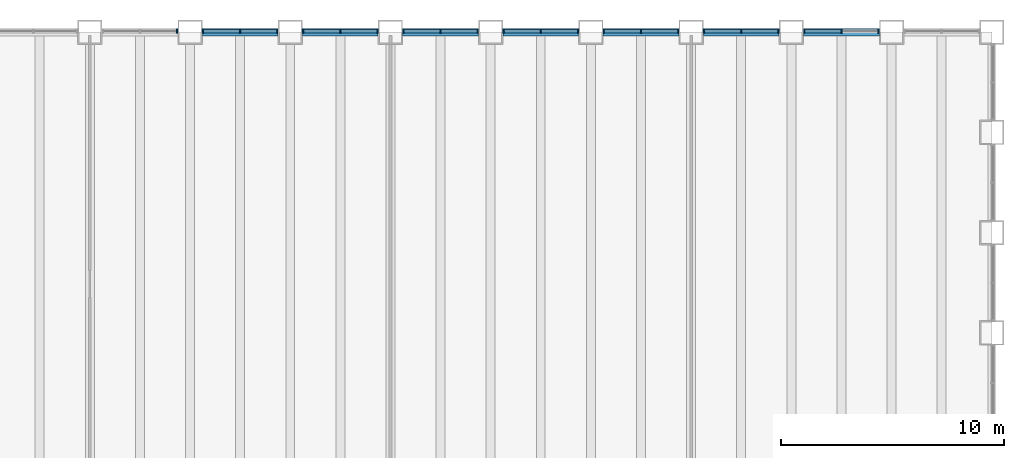
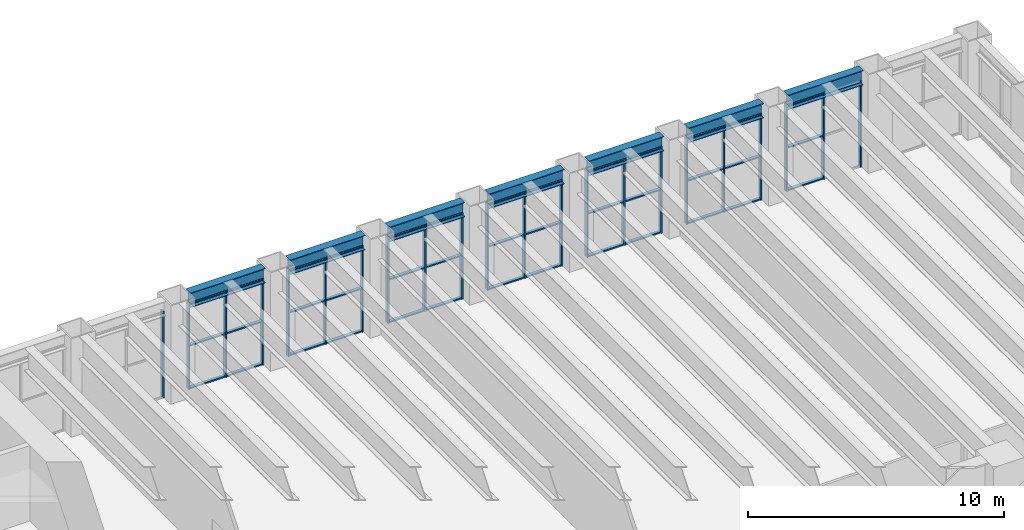
# One storey, part 5 of 21: 61 members, 7 beams, 8 elements without a shape of their own.
"""IFC4 building model written with IfcOpenShell, lengths in metres."""

from ifc_helpers import new_model, si_unit, direction, frame, origin, origin_2d, place, context, subcontext, project, spatial, rectangle, i_section, extrude, material, material_profile, profile_set, type_object, element, aggregate, save


model = new_model("IFC4")

# Units and contexts
model_context = context("Model", 3, precision=1e-05, world=origin(), true_north=direction((0.0, 1.0)))
body_context = subcontext(model_context, "Body", "Model", "MODEL_VIEW")
ifc_project = project(units=[si_unit("LENGTHUNIT", "METRE"), si_unit("AREAUNIT", "SQUARE_METRE"), si_unit("VOLUMEUNIT", "CUBIC_METRE"), si_unit("PLANEANGLEUNIT", "RADIAN"), si_unit("MASSUNIT", "GRAM", prefix="KILO")], contexts=[model_context])

# Site, building, storey
site_placement = place(None, origin())
site = spatial("IfcSite", under=ifc_project, at=site_placement, CompositionType="ELEMENT")
building_placement = place(site_placement, origin())
building = spatial("IfcBuilding", under=site, at=building_placement, Name="Sennacour Bend Tower", CompositionType="ELEMENT")
storey_placement = place(building_placement, frame((0.0, 0.0, 24.0)))
storey = spatial("IfcBuildingStorey", under=building, at=storey_placement, Name="L04", CompositionType="ELEMENT", Elevation=24.0)

# Curtain wall, members
ifc_material_1 = material(Name="Bronze anodised aluminium curtain wall with clear glass", Category="aluminium")
curtain_wall_type = type_object("IfcCurtainWallType", Name="CURTAIN WALL NOTCH", PredefinedType="NOTDEFINED", material=ifc_material_1)
curtain_wall_1_placement = place(storey_placement, origin())
curtain_wall_1 = element("IfcCurtainWall", 1, at=curtain_wall_1_placement, inside=storey, type_object=curtain_wall_type, Name="Podium glass wall L04", PredefinedType="NOTDEFINED")
ifc_material_2 = material(Name="Aluminium 6063-T6", Category="aluminium")
ifc_material_profile_1 = material_profile(ifc_material_2, rectangle(XDim=0.199951171875, YDim=0.06005859375, at=origin_2d()), Name="Aluminium 6063-T6", Category="aluminium")
ifc_profile_set_1 = profile_set([ifc_material_profile_1], Name="Aluminium 6063-T6")
member_type_1 = type_object("IfcMemberType", Name="CW-MULLION-200X60", PredefinedType="MULLION", material=ifc_profile_set_1)
member_1_placement = place(storey_placement, frame((62.419921875, 49.550048828125, 0.0), z_axis=(0.0, 0.0, 1.0), x_axis=(0.0, -1.0, 0.0)))
member_1 = element("IfcMember", 2, at=member_1_placement, type_object=member_type_1, Name="GW2 curtain wall mullion 1", PredefinedType="MULLION", context=body_context, shape_type="SweptSolid", body=[
    extrude(rectangle(XDim=0.199951171875, YDim=0.06005859375, at=origin_2d()), origin(), (0.0, 0.0, 1.0), 4.135986328125),
])
member_2_placement = place(storey_placement, frame((60.75, 49.550048828125, 0.0), z_axis=(0.0, 0.0, 1.0), x_axis=(0.0, -1.0, 0.0)))
member_2 = element("IfcMember", 3, at=member_2_placement, type_object=member_type_1, Name="GW2 curtain wall mullion 2", PredefinedType="MULLION", context=body_context, shape_type="SweptSolid", body=[
    extrude(rectangle(XDim=0.199951171875, YDim=0.06005859375, at=origin_2d()), origin(), (0.0, 0.0, 1.0), 4.135986328125),
])
member_3_placement = place(storey_placement, frame((59.080078125, 49.550048828125, 0.0), z_axis=(0.0, 0.0, 1.0), x_axis=(0.0, -1.0, 0.0)))
member_3 = element("IfcMember", 4, at=member_3_placement, type_object=member_type_1, Name="GW2 curtain wall mullion 3", PredefinedType="MULLION", context=body_context, shape_type="SweptSolid", body=[
    extrude(rectangle(XDim=0.199951171875, YDim=0.06005859375, at=origin_2d()), origin(), (0.0, 0.0, 1.0), 4.135986328125),
])

curtain_wall_2_placement = place(storey_placement, origin())
curtain_wall_2 = element("IfcCurtainWall", 5, at=curtain_wall_2_placement, inside=storey, type_object=curtain_wall_type, Name="Podium glass wall L04", PredefinedType="NOTDEFINED")
member_4_placement = place(storey_placement, frame((57.919921875, 49.550048828125, 0.0), z_axis=(0.0, 0.0, 1.0), x_axis=(0.0, -1.0, 0.0)))
member_4 = element("IfcMember", 6, at=member_4_placement, type_object=member_type_1, Name="GW2 curtain wall mullion 1", PredefinedType="MULLION", context=body_context, shape_type="SweptSolid", body=[
    extrude(rectangle(XDim=0.199951171875, YDim=0.06005859375, at=origin_2d()), origin(), (0.0, 0.0, 1.0), 4.135986328125),
])
member_5_placement = place(storey_placement, frame((56.25, 49.550048828125, 0.0), z_axis=(0.0, 0.0, 1.0), x_axis=(0.0, -1.0, 0.0)))
member_5 = element("IfcMember", 7, at=member_5_placement, type_object=member_type_1, Name="GW2 curtain wall mullion 2", PredefinedType="MULLION", context=body_context, shape_type="SweptSolid", body=[
    extrude(rectangle(XDim=0.199951171875, YDim=0.06005859375, at=origin_2d()), origin(), (0.0, 0.0, 1.0), 4.135986328125),
])
member_6_placement = place(storey_placement, frame((54.580078125, 49.550048828125, 0.0), z_axis=(0.0, 0.0, 1.0), x_axis=(0.0, -1.0, 0.0)))
member_6 = element("IfcMember", 8, at=member_6_placement, type_object=member_type_1, Name="GW2 curtain wall mullion 3", PredefinedType="MULLION", context=body_context, shape_type="SweptSolid", body=[
    extrude(rectangle(XDim=0.199951171875, YDim=0.06005859375, at=origin_2d()), origin(), (0.0, 0.0, 1.0), 4.135986328125),
])

curtain_wall_3_placement = place(storey_placement, origin())
curtain_wall_3 = element("IfcCurtainWall", 9, at=curtain_wall_3_placement, inside=storey, type_object=curtain_wall_type, Name="Podium glass wall L04", PredefinedType="NOTDEFINED")
member_7_placement = place(storey_placement, frame((53.419921875, 49.550048828125, 0.0), z_axis=(0.0, 0.0, 1.0), x_axis=(0.0, -1.0, 0.0)))
member_7 = element("IfcMember", 10, at=member_7_placement, type_object=member_type_1, Name="GW2 curtain wall mullion 1", PredefinedType="MULLION", context=body_context, shape_type="SweptSolid", body=[
    extrude(rectangle(XDim=0.199951171875, YDim=0.06005859375, at=origin_2d()), origin(), (0.0, 0.0, 1.0), 4.135986328125),
])
member_8_placement = place(storey_placement, frame((51.75, 49.550048828125, 0.0), z_axis=(0.0, 0.0, 1.0), x_axis=(0.0, -1.0, 0.0)))
member_8 = element("IfcMember", 11, at=member_8_placement, type_object=member_type_1, Name="GW2 curtain wall mullion 2", PredefinedType="MULLION", context=body_context, shape_type="SweptSolid", body=[
    extrude(rectangle(XDim=0.199951171875, YDim=0.06005859375, at=origin_2d()), origin(), (0.0, 0.0, 1.0), 4.135986328125),
])
member_9_placement = place(storey_placement, frame((50.080078125, 49.550048828125, 0.0), z_axis=(0.0, 0.0, 1.0), x_axis=(0.0, -1.0, 0.0)))
member_9 = element("IfcMember", 12, at=member_9_placement, type_object=member_type_1, Name="GW2 curtain wall mullion 3", PredefinedType="MULLION", context=body_context, shape_type="SweptSolid", body=[
    extrude(rectangle(XDim=0.199951171875, YDim=0.06005859375, at=origin_2d()), origin(), (0.0, 0.0, 1.0), 4.135986328125),
])

curtain_wall_4_placement = place(storey_placement, origin())
curtain_wall_4 = element("IfcCurtainWall", 13, at=curtain_wall_4_placement, inside=storey, type_object=curtain_wall_type, Name="Podium glass wall L04", PredefinedType="NOTDEFINED")
member_10_placement = place(storey_placement, frame((48.919921875, 49.550048828125, 0.0), z_axis=(0.0, 0.0, 1.0), x_axis=(0.0, -1.0, 0.0)))
member_10 = element("IfcMember", 14, at=member_10_placement, type_object=member_type_1, Name="GW2 curtain wall mullion 1", PredefinedType="MULLION", context=body_context, shape_type="SweptSolid", body=[
    extrude(rectangle(XDim=0.199951171875, YDim=0.06005859375, at=origin_2d()), origin(), (0.0, 0.0, 1.0), 4.135986328125),
])
member_11_placement = place(storey_placement, frame((47.25, 49.550048828125, 0.0), z_axis=(0.0, 0.0, 1.0), x_axis=(0.0, -1.0, 0.0)))
member_11 = element("IfcMember", 15, at=member_11_placement, type_object=member_type_1, Name="GW2 curtain wall mullion 2", PredefinedType="MULLION", context=body_context, shape_type="SweptSolid", body=[
    extrude(rectangle(XDim=0.199951171875, YDim=0.06005859375, at=origin_2d()), origin(), (0.0, 0.0, 1.0), 4.135986328125),
])
member_12_placement = place(storey_placement, frame((45.580078125, 49.550048828125, 0.0), z_axis=(0.0, 0.0, 1.0), x_axis=(0.0, -1.0, 0.0)))
member_12 = element("IfcMember", 16, at=member_12_placement, type_object=member_type_1, Name="GW2 curtain wall mullion 3", PredefinedType="MULLION", context=body_context, shape_type="SweptSolid", body=[
    extrude(rectangle(XDim=0.199951171875, YDim=0.06005859375, at=origin_2d()), origin(), (0.0, 0.0, 1.0), 4.135986328125),
])

curtain_wall_5_placement = place(storey_placement, origin())
curtain_wall_5 = element("IfcCurtainWall", 17, at=curtain_wall_5_placement, inside=storey, type_object=curtain_wall_type, Name="Podium glass wall L04", PredefinedType="NOTDEFINED")
member_13_placement = place(storey_placement, frame((44.419921875, 49.550048828125, 0.0), z_axis=(0.0, 0.0, 1.0), x_axis=(0.0, -1.0, 0.0)))
member_13 = element("IfcMember", 18, at=member_13_placement, type_object=member_type_1, Name="GW2 curtain wall mullion 1", PredefinedType="MULLION", context=body_context, shape_type="SweptSolid", body=[
    extrude(rectangle(XDim=0.199951171875, YDim=0.06005859375, at=origin_2d()), origin(), (0.0, 0.0, 1.0), 4.135986328125),
])
member_14_placement = place(storey_placement, frame((42.75, 49.550048828125, 0.0), z_axis=(0.0, 0.0, 1.0), x_axis=(0.0, -1.0, 0.0)))
member_14 = element("IfcMember", 19, at=member_14_placement, type_object=member_type_1, Name="GW2 curtain wall mullion 2", PredefinedType="MULLION", context=body_context, shape_type="SweptSolid", body=[
    extrude(rectangle(XDim=0.199951171875, YDim=0.06005859375, at=origin_2d()), origin(), (0.0, 0.0, 1.0), 4.135986328125),
])
member_15_placement = place(storey_placement, frame((41.080078125, 49.550048828125, 0.0), z_axis=(0.0, 0.0, 1.0), x_axis=(0.0, -1.0, 0.0)))
member_15 = element("IfcMember", 20, at=member_15_placement, type_object=member_type_1, Name="GW2 curtain wall mullion 3", PredefinedType="MULLION", context=body_context, shape_type="SweptSolid", body=[
    extrude(rectangle(XDim=0.199951171875, YDim=0.06005859375, at=origin_2d()), origin(), (0.0, 0.0, 1.0), 4.135986328125),
])

curtain_wall_6_placement = place(storey_placement, origin())
curtain_wall_6 = element("IfcCurtainWall", 21, at=curtain_wall_6_placement, inside=storey, type_object=curtain_wall_type, Name="Podium glass wall L04", PredefinedType="NOTDEFINED")
member_16_placement = place(storey_placement, frame((39.919921875, 49.550048828125, 0.0), z_axis=(0.0, 0.0, 1.0), x_axis=(0.0, -1.0, 0.0)))
member_16 = element("IfcMember", 22, at=member_16_placement, type_object=member_type_1, Name="GW2 curtain wall mullion 1", PredefinedType="MULLION", context=body_context, shape_type="SweptSolid", body=[
    extrude(rectangle(XDim=0.199951171875, YDim=0.06005859375, at=origin_2d()), origin(), (0.0, 0.0, 1.0), 4.135986328125),
])
member_17_placement = place(storey_placement, frame((38.25, 49.550048828125, 0.0), z_axis=(0.0, 0.0, 1.0), x_axis=(0.0, -1.0, 0.0)))
member_17 = element("IfcMember", 23, at=member_17_placement, type_object=member_type_1, Name="GW2 curtain wall mullion 2", PredefinedType="MULLION", context=body_context, shape_type="SweptSolid", body=[
    extrude(rectangle(XDim=0.199951171875, YDim=0.06005859375, at=origin_2d()), origin(), (0.0, 0.0, 1.0), 4.135986328125),
])
member_18_placement = place(storey_placement, frame((36.580078125, 49.550048828125, 0.0), z_axis=(0.0, 0.0, 1.0), x_axis=(0.0, -1.0, 0.0)))
member_18 = element("IfcMember", 24, at=member_18_placement, type_object=member_type_1, Name="GW2 curtain wall mullion 3", PredefinedType="MULLION", context=body_context, shape_type="SweptSolid", body=[
    extrude(rectangle(XDim=0.199951171875, YDim=0.06005859375, at=origin_2d()), origin(), (0.0, 0.0, 1.0), 4.135986328125),
])

curtain_wall_7_placement = place(storey_placement, origin())
curtain_wall_7 = element("IfcCurtainWall", 25, at=curtain_wall_7_placement, inside=storey, type_object=curtain_wall_type, Name="Podium glass wall L04", PredefinedType="NOTDEFINED")
member_19_placement = place(storey_placement, frame((35.419921875, 49.550048828125, 0.0), z_axis=(0.0, 0.0, 1.0), x_axis=(0.0, -1.0, 0.0)))
member_19 = element("IfcMember", 26, at=member_19_placement, type_object=member_type_1, Name="GW2 curtain wall mullion 1", PredefinedType="MULLION", context=body_context, shape_type="SweptSolid", body=[
    extrude(rectangle(XDim=0.199951171875, YDim=0.06005859375, at=origin_2d()), origin(), (0.0, 0.0, 1.0), 4.135986328125),
])
member_20_placement = place(storey_placement, frame((33.75, 49.550048828125, 0.0), z_axis=(0.0, 0.0, 1.0), x_axis=(0.0, -1.0, 0.0)))
member_20 = element("IfcMember", 27, at=member_20_placement, type_object=member_type_1, Name="GW2 curtain wall mullion 2", PredefinedType="MULLION", context=body_context, shape_type="SweptSolid", body=[
    extrude(rectangle(XDim=0.199951171875, YDim=0.06005859375, at=origin_2d()), origin(), (0.0, 0.0, 1.0), 4.135986328125),
])
member_21_placement = place(storey_placement, frame((32.080078125, 49.550048828125, 0.0), z_axis=(0.0, 0.0, 1.0), x_axis=(0.0, -1.0, 0.0)))
member_21 = element("IfcMember", 28, at=member_21_placement, type_object=member_type_1, Name="GW2 curtain wall mullion 3", PredefinedType="MULLION", context=body_context, shape_type="SweptSolid", body=[
    extrude(rectangle(XDim=0.199951171875, YDim=0.06005859375, at=origin_2d()), origin(), (0.0, 0.0, 1.0), 4.135986328125),
])

# Curtain wall, member
curtain_wall_8_placement = place(storey_placement, origin())
curtain_wall_8 = element("IfcCurtainWall", 29, at=curtain_wall_8_placement, inside=storey, type_object=curtain_wall_type, Name="Podium glass wall L04", PredefinedType="NOTDEFINED")
member_22_placement = place(storey_placement, frame((30.919921875, 49.550048828125, 0.0), z_axis=(0.0, 0.0, 1.0), x_axis=(0.0, -1.0, 0.0)))
member_22 = element("IfcMember", 30, at=member_22_placement, type_object=member_type_1, Name="GW2 curtain wall mullion 1", PredefinedType="MULLION", context=body_context, shape_type="SweptSolid", body=[
    extrude(rectangle(XDim=0.199951171875, YDim=0.06005859375, at=origin_2d()), origin(), (0.0, 0.0, 1.0), 4.135986328125),
])
aggregate(curtain_wall_8, [member_22])

# Member
ifc_material_profile_2 = material_profile(ifc_material_2, rectangle(XDim=0.14990234375, YDim=0.06005859375, at=origin_2d()), Name="Aluminium 6063-T6", Category="aluminium")
ifc_profile_set_2 = profile_set([ifc_material_profile_2], Name="Aluminium 6063-T6")
member_type_2 = type_object("IfcMemberType", Name="CW-TRANSOM-150X60", PredefinedType="USERDEFINED", material=ifc_profile_set_2)
member_23_placement = place(storey_placement, frame((60.719970703125, 49.550048828125, 0.030029296875), z_axis=(-1.0, 0.0, 0.0), x_axis=(0.0, -1.0, 0.0)))
member_23 = element("IfcMember", 31, at=member_23_placement, type_object=member_type_2, Name="GW2 curtain wall transom 2.1", ObjectType="TRANSOM", PredefinedType="USERDEFINED", context=body_context, shape_type="SweptSolid", body=[
    extrude(rectangle(XDim=0.14990234375, YDim=0.06005859375, at=origin_2d()), origin(), (0.0, 0.0, 1.0), 1.60986328125),
])

member_24_placement = place(storey_placement, frame((60.719970703125, 49.550048828125, 2.068115234375), z_axis=(-1.0, 0.0, 0.0), x_axis=(0.0, -1.0, 0.0)))
member_24 = element("IfcMember", 32, at=member_24_placement, type_object=member_type_2, Name="GW2 curtain wall transom 2.2", ObjectType="TRANSOM", PredefinedType="USERDEFINED", context=body_context, shape_type="SweptSolid", body=[
    extrude(rectangle(XDim=0.14990234375, YDim=0.06005859375, at=origin_2d()), origin(), (0.0, 0.0, 1.0), 1.60986328125),
])

member_25_placement = place(storey_placement, frame((60.719970703125, 49.550048828125, 4.10595703125), z_axis=(-1.0, 0.0, 0.0), x_axis=(0.0, -1.0, 0.0)))
member_25 = element("IfcMember", 33, at=member_25_placement, type_object=member_type_2, Name="GW2 curtain wall transom 2.3", ObjectType="TRANSOM", PredefinedType="USERDEFINED", context=body_context, shape_type="SweptSolid", body=[
    extrude(rectangle(XDim=0.14990234375, YDim=0.06005859375, at=origin_2d()), origin(), (0.0, 0.0, 1.0), 1.60986328125),
])

aggregate(curtain_wall_1, [member_1, member_2, member_3, member_23, member_24, member_25])

member_26_placement = place(storey_placement, frame((57.889892578125, 49.550048828125, 0.030029296875), z_axis=(-1.0, 0.0, 0.0), x_axis=(0.0, -1.0, 0.0)))
member_26 = element("IfcMember", 34, at=member_26_placement, type_object=member_type_2, Name="GW2 curtain wall transom 1.1", ObjectType="TRANSOM", PredefinedType="USERDEFINED", context=body_context, shape_type="SweptSolid", body=[
    extrude(rectangle(XDim=0.14990234375, YDim=0.06005859375, at=origin_2d()), origin(), (0.0, 0.0, 1.0), 1.60986328125),
])

member_27_placement = place(storey_placement, frame((57.889892578125, 49.550048828125, 2.068115234375), z_axis=(-1.0, 0.0, 0.0), x_axis=(0.0, -1.0, 0.0)))
member_27 = element("IfcMember", 35, at=member_27_placement, type_object=member_type_2, Name="GW2 curtain wall transom 1.2", ObjectType="TRANSOM", PredefinedType="USERDEFINED", context=body_context, shape_type="SweptSolid", body=[
    extrude(rectangle(XDim=0.14990234375, YDim=0.06005859375, at=origin_2d()), origin(), (0.0, 0.0, 1.0), 1.60986328125),
])

member_28_placement = place(storey_placement, frame((57.889892578125, 49.550048828125, 4.10595703125), z_axis=(-1.0, 0.0, 0.0), x_axis=(0.0, -1.0, 0.0)))
member_28 = element("IfcMember", 36, at=member_28_placement, type_object=member_type_2, Name="GW2 curtain wall transom 1.3", ObjectType="TRANSOM", PredefinedType="USERDEFINED", context=body_context, shape_type="SweptSolid", body=[
    extrude(rectangle(XDim=0.14990234375, YDim=0.06005859375, at=origin_2d()), origin(), (0.0, 0.0, 1.0), 1.60986328125),
])

member_29_placement = place(storey_placement, frame((56.219970703125, 49.550048828125, 0.030029296875), z_axis=(-1.0, 0.0, 0.0), x_axis=(0.0, -1.0, 0.0)))
member_29 = element("IfcMember", 37, at=member_29_placement, type_object=member_type_2, Name="GW2 curtain wall transom 2.1", ObjectType="TRANSOM", PredefinedType="USERDEFINED", context=body_context, shape_type="SweptSolid", body=[
    extrude(rectangle(XDim=0.14990234375, YDim=0.06005859375, at=origin_2d()), origin(), (0.0, 0.0, 1.0), 1.60986328125),
])

member_30_placement = place(storey_placement, frame((56.219970703125, 49.550048828125, 2.068115234375), z_axis=(-1.0, 0.0, 0.0), x_axis=(0.0, -1.0, 0.0)))
member_30 = element("IfcMember", 38, at=member_30_placement, type_object=member_type_2, Name="GW2 curtain wall transom 2.2", ObjectType="TRANSOM", PredefinedType="USERDEFINED", context=body_context, shape_type="SweptSolid", body=[
    extrude(rectangle(XDim=0.14990234375, YDim=0.06005859375, at=origin_2d()), origin(), (0.0, 0.0, 1.0), 1.60986328125),
])

member_31_placement = place(storey_placement, frame((56.219970703125, 49.550048828125, 4.10595703125), z_axis=(-1.0, 0.0, 0.0), x_axis=(0.0, -1.0, 0.0)))
member_31 = element("IfcMember", 39, at=member_31_placement, type_object=member_type_2, Name="GW2 curtain wall transom 2.3", ObjectType="TRANSOM", PredefinedType="USERDEFINED", context=body_context, shape_type="SweptSolid", body=[
    extrude(rectangle(XDim=0.14990234375, YDim=0.06005859375, at=origin_2d()), origin(), (0.0, 0.0, 1.0), 1.60986328125),
])

aggregate(curtain_wall_2, [member_4, member_5, member_6, member_26, member_27, member_28, member_29, member_30, member_31])

member_32_placement = place(storey_placement, frame((53.389892578125, 49.550048828125, 0.030029296875), z_axis=(-1.0, 0.0, 0.0), x_axis=(0.0, -1.0, 0.0)))
member_32 = element("IfcMember", 40, at=member_32_placement, type_object=member_type_2, Name="GW2 curtain wall transom 1.1", ObjectType="TRANSOM", PredefinedType="USERDEFINED", context=body_context, shape_type="SweptSolid", body=[
    extrude(rectangle(XDim=0.14990234375, YDim=0.06005859375, at=origin_2d()), origin(), (0.0, 0.0, 1.0), 1.60986328125),
])

member_33_placement = place(storey_placement, frame((53.389892578125, 49.550048828125, 2.068115234375), z_axis=(-1.0, 0.0, 0.0), x_axis=(0.0, -1.0, 0.0)))
member_33 = element("IfcMember", 41, at=member_33_placement, type_object=member_type_2, Name="GW2 curtain wall transom 1.2", ObjectType="TRANSOM", PredefinedType="USERDEFINED", context=body_context, shape_type="SweptSolid", body=[
    extrude(rectangle(XDim=0.14990234375, YDim=0.06005859375, at=origin_2d()), origin(), (0.0, 0.0, 1.0), 1.60986328125),
])

member_34_placement = place(storey_placement, frame((53.389892578125, 49.550048828125, 4.10595703125), z_axis=(-1.0, 0.0, 0.0), x_axis=(0.0, -1.0, 0.0)))
member_34 = element("IfcMember", 42, at=member_34_placement, type_object=member_type_2, Name="GW2 curtain wall transom 1.3", ObjectType="TRANSOM", PredefinedType="USERDEFINED", context=body_context, shape_type="SweptSolid", body=[
    extrude(rectangle(XDim=0.14990234375, YDim=0.06005859375, at=origin_2d()), origin(), (0.0, 0.0, 1.0), 1.60986328125),
])

member_35_placement = place(storey_placement, frame((51.719970703125, 49.550048828125, 0.030029296875), z_axis=(-1.0, 0.0, 0.0), x_axis=(0.0, -1.0, 0.0)))
member_35 = element("IfcMember", 43, at=member_35_placement, type_object=member_type_2, Name="GW2 curtain wall transom 2.1", ObjectType="TRANSOM", PredefinedType="USERDEFINED", context=body_context, shape_type="SweptSolid", body=[
    extrude(rectangle(XDim=0.14990234375, YDim=0.06005859375, at=origin_2d()), origin(), (0.0, 0.0, 1.0), 1.60986328125),
])

member_36_placement = place(storey_placement, frame((51.719970703125, 49.550048828125, 2.068115234375), z_axis=(-1.0, 0.0, 0.0), x_axis=(0.0, -1.0, 0.0)))
member_36 = element("IfcMember", 44, at=member_36_placement, type_object=member_type_2, Name="GW2 curtain wall transom 2.2", ObjectType="TRANSOM", PredefinedType="USERDEFINED", context=body_context, shape_type="SweptSolid", body=[
    extrude(rectangle(XDim=0.14990234375, YDim=0.06005859375, at=origin_2d()), origin(), (0.0, 0.0, 1.0), 1.60986328125),
])

member_37_placement = place(storey_placement, frame((51.719970703125, 49.550048828125, 4.10595703125), z_axis=(-1.0, 0.0, 0.0), x_axis=(0.0, -1.0, 0.0)))
member_37 = element("IfcMember", 45, at=member_37_placement, type_object=member_type_2, Name="GW2 curtain wall transom 2.3", ObjectType="TRANSOM", PredefinedType="USERDEFINED", context=body_context, shape_type="SweptSolid", body=[
    extrude(rectangle(XDim=0.14990234375, YDim=0.06005859375, at=origin_2d()), origin(), (0.0, 0.0, 1.0), 1.60986328125),
])

aggregate(curtain_wall_3, [member_7, member_8, member_9, member_32, member_33, member_34, member_35, member_36, member_37])

member_38_placement = place(storey_placement, frame((48.889892578125, 49.550048828125, 0.030029296875), z_axis=(-1.0, 0.0, 0.0), x_axis=(0.0, -1.0, 0.0)))
member_38 = element("IfcMember", 46, at=member_38_placement, type_object=member_type_2, Name="GW2 curtain wall transom 1.1", ObjectType="TRANSOM", PredefinedType="USERDEFINED", context=body_context, shape_type="SweptSolid", body=[
    extrude(rectangle(XDim=0.14990234375, YDim=0.06005859375, at=origin_2d()), origin(), (0.0, 0.0, 1.0), 1.60986328125),
])

member_39_placement = place(storey_placement, frame((48.889892578125, 49.550048828125, 2.068115234375), z_axis=(-1.0, 0.0, 0.0), x_axis=(0.0, -1.0, 0.0)))
member_39 = element("IfcMember", 47, at=member_39_placement, type_object=member_type_2, Name="GW2 curtain wall transom 1.2", ObjectType="TRANSOM", PredefinedType="USERDEFINED", context=body_context, shape_type="SweptSolid", body=[
    extrude(rectangle(XDim=0.14990234375, YDim=0.06005859375, at=origin_2d()), origin(), (0.0, 0.0, 1.0), 1.60986328125),
])

member_40_placement = place(storey_placement, frame((48.889892578125, 49.550048828125, 4.10595703125), z_axis=(-1.0, 0.0, 0.0), x_axis=(0.0, -1.0, 0.0)))
member_40 = element("IfcMember", 48, at=member_40_placement, type_object=member_type_2, Name="GW2 curtain wall transom 1.3", ObjectType="TRANSOM", PredefinedType="USERDEFINED", context=body_context, shape_type="SweptSolid", body=[
    extrude(rectangle(XDim=0.14990234375, YDim=0.06005859375, at=origin_2d()), origin(), (0.0, 0.0, 1.0), 1.60986328125),
])

member_41_placement = place(storey_placement, frame((47.219970703125, 49.550048828125, 0.030029296875), z_axis=(-1.0, 0.0, 0.0), x_axis=(0.0, -1.0, 0.0)))
member_41 = element("IfcMember", 49, at=member_41_placement, type_object=member_type_2, Name="GW2 curtain wall transom 2.1", ObjectType="TRANSOM", PredefinedType="USERDEFINED", context=body_context, shape_type="SweptSolid", body=[
    extrude(rectangle(XDim=0.14990234375, YDim=0.06005859375, at=origin_2d()), origin(), (0.0, 0.0, 1.0), 1.60986328125),
])

member_42_placement = place(storey_placement, frame((47.219970703125, 49.550048828125, 2.068115234375), z_axis=(-1.0, 0.0, 0.0), x_axis=(0.0, -1.0, 0.0)))
member_42 = element("IfcMember", 50, at=member_42_placement, type_object=member_type_2, Name="GW2 curtain wall transom 2.2", ObjectType="TRANSOM", PredefinedType="USERDEFINED", context=body_context, shape_type="SweptSolid", body=[
    extrude(rectangle(XDim=0.14990234375, YDim=0.06005859375, at=origin_2d()), origin(), (0.0, 0.0, 1.0), 1.60986328125),
])

member_43_placement = place(storey_placement, frame((47.219970703125, 49.550048828125, 4.10595703125), z_axis=(-1.0, 0.0, 0.0), x_axis=(0.0, -1.0, 0.0)))
member_43 = element("IfcMember", 51, at=member_43_placement, type_object=member_type_2, Name="GW2 curtain wall transom 2.3", ObjectType="TRANSOM", PredefinedType="USERDEFINED", context=body_context, shape_type="SweptSolid", body=[
    extrude(rectangle(XDim=0.14990234375, YDim=0.06005859375, at=origin_2d()), origin(), (0.0, 0.0, 1.0), 1.60986328125),
])

aggregate(curtain_wall_4, [member_10, member_11, member_12, member_38, member_39, member_40, member_41, member_42, member_43])

member_44_placement = place(storey_placement, frame((44.389892578125, 49.550048828125, 0.030029296875), z_axis=(-1.0, 0.0, 0.0), x_axis=(0.0, -1.0, 0.0)))
member_44 = element("IfcMember", 52, at=member_44_placement, type_object=member_type_2, Name="GW2 curtain wall transom 1.1", ObjectType="TRANSOM", PredefinedType="USERDEFINED", context=body_context, shape_type="SweptSolid", body=[
    extrude(rectangle(XDim=0.14990234375, YDim=0.06005859375, at=origin_2d()), origin(), (0.0, 0.0, 1.0), 1.60986328125),
])

member_45_placement = place(storey_placement, frame((44.389892578125, 49.550048828125, 2.068115234375), z_axis=(-1.0, 0.0, 0.0), x_axis=(0.0, -1.0, 0.0)))
member_45 = element("IfcMember", 53, at=member_45_placement, type_object=member_type_2, Name="GW2 curtain wall transom 1.2", ObjectType="TRANSOM", PredefinedType="USERDEFINED", context=body_context, shape_type="SweptSolid", body=[
    extrude(rectangle(XDim=0.14990234375, YDim=0.06005859375, at=origin_2d()), origin(), (0.0, 0.0, 1.0), 1.60986328125),
])

member_46_placement = place(storey_placement, frame((44.389892578125, 49.550048828125, 4.10595703125), z_axis=(-1.0, 0.0, 0.0), x_axis=(0.0, -1.0, 0.0)))
member_46 = element("IfcMember", 54, at=member_46_placement, type_object=member_type_2, Name="GW2 curtain wall transom 1.3", ObjectType="TRANSOM", PredefinedType="USERDEFINED", context=body_context, shape_type="SweptSolid", body=[
    extrude(rectangle(XDim=0.14990234375, YDim=0.06005859375, at=origin_2d()), origin(), (0.0, 0.0, 1.0), 1.60986328125),
])

member_47_placement = place(storey_placement, frame((42.719970703125, 49.550048828125, 0.030029296875), z_axis=(-1.0, 0.0, 0.0), x_axis=(0.0, -1.0, 0.0)))
member_47 = element("IfcMember", 55, at=member_47_placement, type_object=member_type_2, Name="GW2 curtain wall transom 2.1", ObjectType="TRANSOM", PredefinedType="USERDEFINED", context=body_context, shape_type="SweptSolid", body=[
    extrude(rectangle(XDim=0.14990234375, YDim=0.06005859375, at=origin_2d()), origin(), (0.0, 0.0, 1.0), 1.60986328125),
])

member_48_placement = place(storey_placement, frame((42.719970703125, 49.550048828125, 2.068115234375), z_axis=(-1.0, 0.0, 0.0), x_axis=(0.0, -1.0, 0.0)))
member_48 = element("IfcMember", 56, at=member_48_placement, type_object=member_type_2, Name="GW2 curtain wall transom 2.2", ObjectType="TRANSOM", PredefinedType="USERDEFINED", context=body_context, shape_type="SweptSolid", body=[
    extrude(rectangle(XDim=0.14990234375, YDim=0.06005859375, at=origin_2d()), origin(), (0.0, 0.0, 1.0), 1.60986328125),
])

member_49_placement = place(storey_placement, frame((42.719970703125, 49.550048828125, 4.10595703125), z_axis=(-1.0, 0.0, 0.0), x_axis=(0.0, -1.0, 0.0)))
member_49 = element("IfcMember", 57, at=member_49_placement, type_object=member_type_2, Name="GW2 curtain wall transom 2.3", ObjectType="TRANSOM", PredefinedType="USERDEFINED", context=body_context, shape_type="SweptSolid", body=[
    extrude(rectangle(XDim=0.14990234375, YDim=0.06005859375, at=origin_2d()), origin(), (0.0, 0.0, 1.0), 1.60986328125),
])

aggregate(curtain_wall_5, [member_13, member_14, member_15, member_44, member_45, member_46, member_47, member_48, member_49])

member_50_placement = place(storey_placement, frame((39.889892578125, 49.550048828125, 0.030029296875), z_axis=(-1.0, 0.0, 0.0), x_axis=(0.0, -1.0, 0.0)))
member_50 = element("IfcMember", 58, at=member_50_placement, type_object=member_type_2, Name="GW2 curtain wall transom 1.1", ObjectType="TRANSOM", PredefinedType="USERDEFINED", context=body_context, shape_type="SweptSolid", body=[
    extrude(rectangle(XDim=0.14990234375, YDim=0.06005859375, at=origin_2d()), origin(), (0.0, 0.0, 1.0), 1.60986328125),
])

member_51_placement = place(storey_placement, frame((39.889892578125, 49.550048828125, 2.068115234375), z_axis=(-1.0, 0.0, 0.0), x_axis=(0.0, -1.0, 0.0)))
member_51 = element("IfcMember", 59, at=member_51_placement, type_object=member_type_2, Name="GW2 curtain wall transom 1.2", ObjectType="TRANSOM", PredefinedType="USERDEFINED", context=body_context, shape_type="SweptSolid", body=[
    extrude(rectangle(XDim=0.14990234375, YDim=0.06005859375, at=origin_2d()), origin(), (0.0, 0.0, 1.0), 1.60986328125),
])

member_52_placement = place(storey_placement, frame((39.889892578125, 49.550048828125, 4.10595703125), z_axis=(-1.0, 0.0, 0.0), x_axis=(0.0, -1.0, 0.0)))
member_52 = element("IfcMember", 60, at=member_52_placement, type_object=member_type_2, Name="GW2 curtain wall transom 1.3", ObjectType="TRANSOM", PredefinedType="USERDEFINED", context=body_context, shape_type="SweptSolid", body=[
    extrude(rectangle(XDim=0.14990234375, YDim=0.06005859375, at=origin_2d()), origin(), (0.0, 0.0, 1.0), 1.60986328125),
])

member_53_placement = place(storey_placement, frame((38.219970703125, 49.550048828125, 0.030029296875), z_axis=(-1.0, 0.0, 0.0), x_axis=(0.0, -1.0, 0.0)))
member_53 = element("IfcMember", 61, at=member_53_placement, type_object=member_type_2, Name="GW2 curtain wall transom 2.1", ObjectType="TRANSOM", PredefinedType="USERDEFINED", context=body_context, shape_type="SweptSolid", body=[
    extrude(rectangle(XDim=0.14990234375, YDim=0.06005859375, at=origin_2d()), origin(), (0.0, 0.0, 1.0), 1.60986328125),
])

member_54_placement = place(storey_placement, frame((38.219970703125, 49.550048828125, 2.068115234375), z_axis=(-1.0, 0.0, 0.0), x_axis=(0.0, -1.0, 0.0)))
member_54 = element("IfcMember", 62, at=member_54_placement, type_object=member_type_2, Name="GW2 curtain wall transom 2.2", ObjectType="TRANSOM", PredefinedType="USERDEFINED", context=body_context, shape_type="SweptSolid", body=[
    extrude(rectangle(XDim=0.14990234375, YDim=0.06005859375, at=origin_2d()), origin(), (0.0, 0.0, 1.0), 1.60986328125),
])

member_55_placement = place(storey_placement, frame((38.219970703125, 49.550048828125, 4.10595703125), z_axis=(-1.0, 0.0, 0.0), x_axis=(0.0, -1.0, 0.0)))
member_55 = element("IfcMember", 63, at=member_55_placement, type_object=member_type_2, Name="GW2 curtain wall transom 2.3", ObjectType="TRANSOM", PredefinedType="USERDEFINED", context=body_context, shape_type="SweptSolid", body=[
    extrude(rectangle(XDim=0.14990234375, YDim=0.06005859375, at=origin_2d()), origin(), (0.0, 0.0, 1.0), 1.60986328125),
])

aggregate(curtain_wall_6, [member_16, member_17, member_18, member_50, member_51, member_52, member_53, member_54, member_55])

member_56_placement = place(storey_placement, frame((35.389892578125, 49.550048828125, 0.030029296875), z_axis=(-1.0, 0.0, 0.0), x_axis=(0.0, -1.0, 0.0)))
member_56 = element("IfcMember", 64, at=member_56_placement, type_object=member_type_2, Name="GW2 curtain wall transom 1.1", ObjectType="TRANSOM", PredefinedType="USERDEFINED", context=body_context, shape_type="SweptSolid", body=[
    extrude(rectangle(XDim=0.14990234375, YDim=0.06005859375, at=origin_2d()), origin(), (0.0, 0.0, 1.0), 1.60986328125),
])

member_57_placement = place(storey_placement, frame((35.389892578125, 49.550048828125, 2.068115234375), z_axis=(-1.0, 0.0, 0.0), x_axis=(0.0, -1.0, 0.0)))
member_57 = element("IfcMember", 65, at=member_57_placement, type_object=member_type_2, Name="GW2 curtain wall transom 1.2", ObjectType="TRANSOM", PredefinedType="USERDEFINED", context=body_context, shape_type="SweptSolid", body=[
    extrude(rectangle(XDim=0.14990234375, YDim=0.06005859375, at=origin_2d()), origin(), (0.0, 0.0, 1.0), 1.60986328125),
])

member_58_placement = place(storey_placement, frame((35.389892578125, 49.550048828125, 4.10595703125), z_axis=(-1.0, 0.0, 0.0), x_axis=(0.0, -1.0, 0.0)))
member_58 = element("IfcMember", 66, at=member_58_placement, type_object=member_type_2, Name="GW2 curtain wall transom 1.3", ObjectType="TRANSOM", PredefinedType="USERDEFINED", context=body_context, shape_type="SweptSolid", body=[
    extrude(rectangle(XDim=0.14990234375, YDim=0.06005859375, at=origin_2d()), origin(), (0.0, 0.0, 1.0), 1.60986328125),
])

member_59_placement = place(storey_placement, frame((33.719970703125, 49.550048828125, 0.030029296875), z_axis=(-1.0, 0.0, 0.0), x_axis=(0.0, -1.0, 0.0)))
member_59 = element("IfcMember", 67, at=member_59_placement, type_object=member_type_2, Name="GW2 curtain wall transom 2.1", ObjectType="TRANSOM", PredefinedType="USERDEFINED", context=body_context, shape_type="SweptSolid", body=[
    extrude(rectangle(XDim=0.14990234375, YDim=0.06005859375, at=origin_2d()), origin(), (0.0, 0.0, 1.0), 1.60986328125),
])

member_60_placement = place(storey_placement, frame((33.719970703125, 49.550048828125, 2.068115234375), z_axis=(-1.0, 0.0, 0.0), x_axis=(0.0, -1.0, 0.0)))
member_60 = element("IfcMember", 68, at=member_60_placement, type_object=member_type_2, Name="GW2 curtain wall transom 2.2", ObjectType="TRANSOM", PredefinedType="USERDEFINED", context=body_context, shape_type="SweptSolid", body=[
    extrude(rectangle(XDim=0.14990234375, YDim=0.06005859375, at=origin_2d()), origin(), (0.0, 0.0, 1.0), 1.60986328125),
])

member_61_placement = place(storey_placement, frame((33.719970703125, 49.550048828125, 4.10595703125), z_axis=(-1.0, 0.0, 0.0), x_axis=(0.0, -1.0, 0.0)))
member_61 = element("IfcMember", 69, at=member_61_placement, type_object=member_type_2, Name="GW2 curtain wall transom 2.3", ObjectType="TRANSOM", PredefinedType="USERDEFINED", context=body_context, shape_type="SweptSolid", body=[
    extrude(rectangle(XDim=0.14990234375, YDim=0.06005859375, at=origin_2d()), origin(), (0.0, 0.0, 1.0), 1.60986328125),
])

aggregate(curtain_wall_7, [member_19, member_20, member_21, member_56, member_57, member_58, member_59, member_60, member_61])

# Beams
ifc_material_3 = material(Name="Steel ASTM A992 Grade 50", Category="steel")
ifc_material_profile_3 = material_profile(ifc_material_3, i_section(OverallWidth=0.35791015625, OverallDepth=0.7060546875, WebThickness=0.018310546875, FlangeThickness=0.0302734375, FilletRadius=0.02001953125, at=origin_2d()), Name="Steel ASTM A992 Grade 50", Category="steel")
ifc_profile_set_3 = profile_set([ifc_material_profile_3], Name="Steel ASTM A992 Grade 50")
beam_type = type_object("IfcBeamType", Name="Spandrel beam W690X265", PredefinedType="SPANDREL", material=ifc_profile_set_3)
for number, where, z_axis, x_axis, name in (
    (70, (32.050048828125, 49.5, 4.346923828125), (1.0, 0.0, 0.0), (0.0, 1.0, 0.0), "Spandrel beam SP2 L05-031"),
    (71, (36.550048828125, 49.5, 4.346923828125), (1.0, 0.0, 0.0), (0.0, 1.0, 0.0), "Spandrel beam SP2 L05-032"),
    (72, (41.050048828125, 49.5, 4.346923828125), (1.0, 0.0, 0.0), (0.0, 1.0, 0.0), "Spandrel beam SP2 L05-033"),
    (73, (45.550048828125, 49.5, 4.346923828125), (1.0, 0.0, 0.0), (0.0, 1.0, 0.0), "Spandrel beam SP2 L05-034"),
    (74, (50.050048828125, 49.5, 4.346923828125), (1.0, 0.0, 0.0), (0.0, 1.0, 0.0), "Spandrel beam SP2 L05-035"),
    (75, (54.550048828125, 49.5, 4.346923828125), (1.0, 0.0, 0.0), (0.0, 1.0, 0.0), "Spandrel beam SP2 L05-036"),
    (76, (59.050048828125, 49.5, 4.346923828125), (1.0, 0.0, 0.0), (0.0, 1.0, 0.0), "Spandrel beam SP2 L05-037"),
):
    element("IfcBeam", number, at=place(storey_placement, frame(where, z_axis=z_axis, x_axis=x_axis)), inside=storey, type_object=beam_type, Name=name, PredefinedType="SPANDREL", context=body_context, shape_type="SweptSolid", body=[
        extrude(i_section(OverallWidth=0.35791015625, OverallDepth=0.7060546875, WebThickness=0.018310546875, FlangeThickness=0.0302734375, FilletRadius=0.02001953125, at=origin_2d()), origin(), (0.0, 0.0, 1.0), 3.39990234375),
    ])

save(model, "model.ifc")
